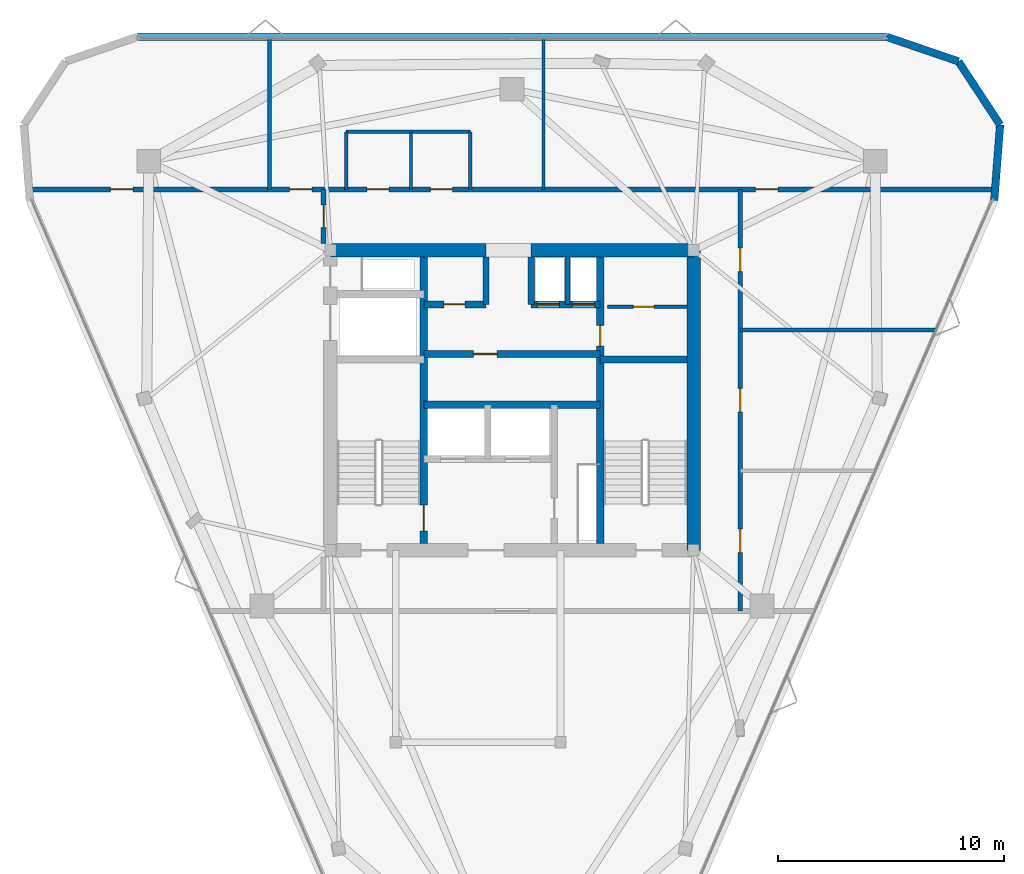
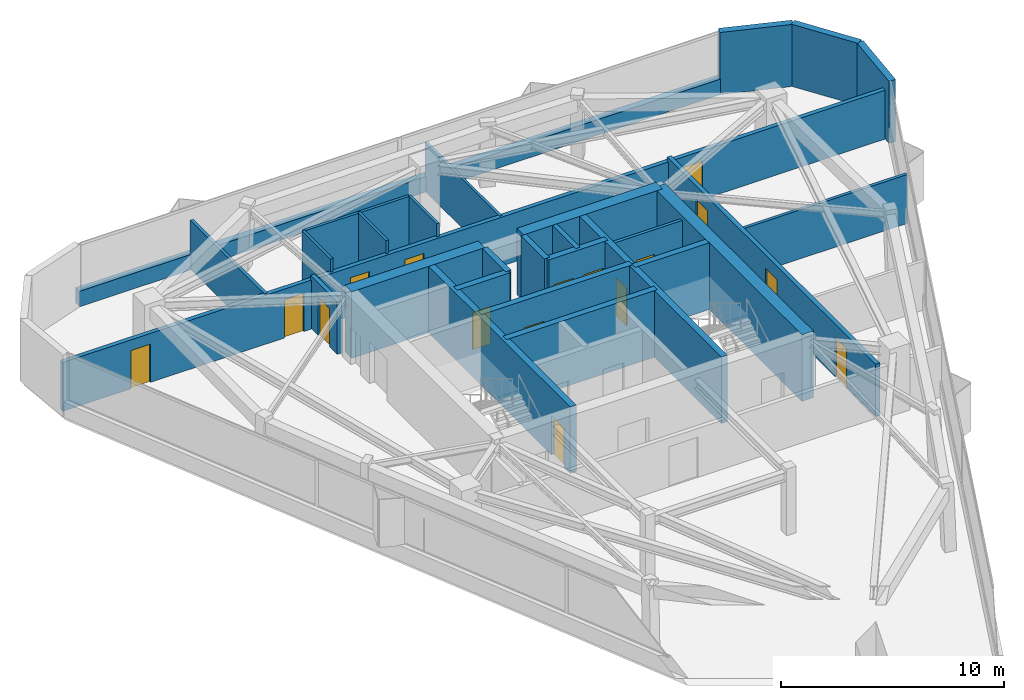
# One storey, part 9 of 11: 28 walls, 16 doors, 16 openings.
"""IFC4 building model written with IfcOpenShell, lengths in metres."""

from ifc_helpers import new_model, si_unit, direction, frame, frame_2d, origin, place, context, subcontext, project, spatial, rectangle, extrude, material, layer, layer_set, type_object, element, fill, save


model = new_model("IFC4")

# Units and contexts
model_context = context("Model", 3, precision=1e-05, world=origin(), true_north=direction((0.0, 1.0)))
body_context = subcontext(model_context, "Body", "Model", "MODEL_VIEW")
ifc_project = project(units=[si_unit("LENGTHUNIT", "METRE"), si_unit("AREAUNIT", "SQUARE_METRE"), si_unit("VOLUMEUNIT", "CUBIC_METRE"), si_unit("PLANEANGLEUNIT", "RADIAN"), si_unit("MASSUNIT", "GRAM", prefix="KILO")], contexts=[model_context])

# Site, building, storey
site_placement = place(None, origin())
site = spatial("IfcSite", under=ifc_project, at=site_placement, CompositionType="ELEMENT")
building_placement = place(site_placement, origin())
building = spatial("IfcBuilding", under=site, at=building_placement, Name="Talyreon Biosciences Tower", CompositionType="ELEMENT")
storey_placement = place(building_placement, frame((0.0, 0.0, 283.800048828125)))
storey = spatial("IfcBuildingStorey", under=building, at=storey_placement, Name="L75", CompositionType="ELEMENT", Elevation=283.800048828125)

# Walls
ifc_material_1 = material(Name="Concrete C50/60", Category="concrete")
ifc_layer_1 = layer(ifc_material_1, 0.219970703125)
ifc_layer_set_1 = layer_set([ifc_layer_1], Name="Concrete C50/60")
wall_type_1 = type_object("IfcWallType", Name="CoreShearWall_220", PredefinedType="SHEAR", material=ifc_layer_set_1)
wall_1_placement = place(storey_placement, frame((68.4599609375, 72.25, 0.0), z_axis=(0.0, 0.0, 1.0), x_axis=(0.0, 1.0, 0.0)))
element("IfcWall", 1, at=wall_1_placement, inside=storey, type_object=wall_type_1, Name="L75 Core Shaft Wall SWPHD", PredefinedType="SHEAR", context=body_context, shape_type="SweptSolid", body=[
    extrude(rectangle(XDim=2.10009765625, YDim=0.219970703125, at=frame_2d((1.050048828125, 0.0))), origin(), (0.0, 0.0, 1.0), 3.64990234375),
])
ifc_layer_2 = layer(ifc_material_1, 0.280029296875)
ifc_layer_set_2 = layer_set([ifc_layer_2], Name="Concrete C50/60")
wall_type_2 = type_object("IfcWallType", Name="CoreShearWall_280", PredefinedType="SHEAR", material=ifc_layer_set_2)
for number, where, z_axis, x_axis, name in (
    (2, (64.85009765625, 72.25, 0.0), (0.0, 0.0, 1.0), (0.0, 1.0, 0.0), "L75 Core Shaft Wall SWTHW"),
    (3, (66.85009765625, 72.25, 0.0), (0.0, 0.0, 1.0), (0.0, 1.0, 0.0), "L75 Core Shaft Wall SWTHE"),
):
    element("IfcWall", number, at=place(storey_placement, frame(where, z_axis=z_axis, x_axis=x_axis)), inside=storey, type_object=wall_type_2, Name=name, PredefinedType="SHEAR", context=body_context, shape_type="SweptSolid", body=[
        extrude(rectangle(XDim=2.10009765625, YDim=0.280029296875, at=frame_2d((1.050048828125, 0.0))), origin(), (0.0, 0.0, 1.0), 3.64990234375),
    ])

# Wall, opening, door
ifc_layer_3 = layer(ifc_material_1, 0.320068359375)
ifc_layer_set_3 = layer_set([ifc_layer_3], Name="Concrete C50/60")
wall_type_3 = type_object("IfcWallType", Name="CoreShearWall_320", PredefinedType="SHEAR", material=ifc_layer_set_3)
wall_2_placement = place(storey_placement, frame((62.090087890625, 61.64990234375, 0.0), z_axis=(0.0, 0.0, 1.0), x_axis=(0.0, 1.0, 0.0)))
wall_2 = element("IfcWall", 4, at=wall_2_placement, inside=storey, type_object=wall_type_3, Name="L75 Core Shaft Wall SW1E", PredefinedType="SHEAR", context=body_context, shape_type="SweptSolid", body=[
    extrude(rectangle(XDim=12.7001953125, YDim=0.320068359375, at=frame_2d((6.35009765625, 0.0))), origin(), (0.0, 0.0, 1.0), 3.64990234375),
])
opening_1_placement = place(wall_2_placement, frame((0.550048828125, 0.0, 0.0)))
opening_1 = element("IfcOpeningElement", 5, at=opening_1_placement, cuts=wall_2, Name="Opening DR-L75-FF-ST1", PredefinedType="OPENING", context=body_context, shape_type="SweptSolid", body=[
    extrude(rectangle(XDim=1.14990234375, YDim=2.14990234375, at=frame_2d((0.574951171875, 1.074951171875))), frame((0.0, 0.169921875, 0.0), z_axis=(0.0, -1.0, 0.0), x_axis=(1.0, 0.0, 0.0)), (0.0, 0.0, 1.0), 0.340087890625),
])
ifc_material_2 = material(Name="Painted steel fire door", Category="steel")
door_type_1 = type_object("IfcDoorType", Name="StairShaftFireDoor_1150x2150", OperationType="NOTDEFINED", PredefinedType="DOOR", material=ifc_material_2)
door_1_placement = place(opening_1_placement, origin())
door_1 = element("IfcDoor", 6, at=door_1_placement, inside=storey, type_object=door_type_1, Name="L75 Core Door DR-L75-FF-ST1", OperationType="SINGLE_SWING_LEFT", OverallHeight=2.14990234375, OverallWidth=1.14990234375, PredefinedType="DOOR", context=body_context, shape_type="SweptSolid", body=[
    extrude(rectangle(XDim=1.14990234375, YDim=2.14990234375, at=frame_2d((0.574951171875, 1.074951171875))), frame((0.0, 0.02490234375, 0.0), z_axis=(0.0, -1.0, 0.0), x_axis=(1.0, 0.0, 0.0)), (0.0, 0.0, 1.0), 0.050048828125),
])
fill(opening_1, door_1)

wall_3_placement = place(storey_placement, frame((69.909912109375, 61.64990234375, 0.0), z_axis=(0.0, 0.0, 1.0), x_axis=(0.0, 1.0, 0.0)))
wall_3 = element("IfcWall", 7, at=wall_3_placement, inside=storey, type_object=wall_type_3, Name="L75 Core Shaft Wall SW2W", PredefinedType="SHEAR", context=body_context, shape_type="SweptSolid", body=[
    extrude(rectangle(XDim=12.7001953125, YDim=0.320068359375, at=frame_2d((6.35009765625, 0.0))), origin(), (0.0, 0.0, 1.0), 3.64990234375),
])
opening_2_placement = place(wall_3_placement, frame((8.75, 0.0, 0.0)))
opening_2 = element("IfcOpeningElement", 8, at=opening_2_placement, cuts=wall_3, Name="Opening DR-L75-CSRV", PredefinedType="OPENING", context=body_context, shape_type="SweptSolid", body=[
    extrude(rectangle(XDim=0.919921875, YDim=2.050048828125, at=frame_2d((0.4599609375, 1.02490234375))), frame((0.0, 0.169921875, 0.0), z_axis=(0.0, -1.0, 0.0), x_axis=(1.0, 0.0, 0.0)), (0.0, 0.0, 1.0), 0.340087890625),
])
ifc_material_3 = material(Name="Painted steel fire-rated riser door", Category="steel")
door_type_2 = type_object("IfcDoorType", Name="RiserPlantAccessDoor_920x2050", OperationType="NOTDEFINED", PredefinedType="DOOR", material=ifc_material_3)
door_2_placement = place(opening_2_placement, origin())
door_2 = element("IfcDoor", 9, at=door_2_placement, inside=storey, type_object=door_type_2, Name="L75 Core Door DR-L75-CSRV", OperationType="SINGLE_SWING_RIGHT", OverallHeight=2.050048828125, OverallWidth=0.919921875, PredefinedType="DOOR", context=body_context, shape_type="SweptSolid", body=[
    extrude(rectangle(XDim=0.919921875, YDim=2.050048828125, at=frame_2d((0.4599609375, 1.02490234375))), frame((0.0, 0.02490234375, 0.0), z_axis=(0.0, -1.0, 0.0), x_axis=(1.0, 0.0, 0.0)), (0.0, 0.0, 1.0), 0.050048828125),
])
fill(opening_2, door_2)

# Walls
wall_4_placement = place(storey_placement, frame((69.909912109375, 69.81005859375, 0.0), z_axis=(0.0, 0.0, 1.0), x_axis=(1.0, 0.0, 0.0)))
element("IfcWall", 10, at=wall_4_placement, inside=storey, type_object=wall_type_3, Name="L75 Core Shaft Wall SW2N", PredefinedType="SHEAR", context=body_context, shape_type="SweptSolid", body=[
    extrude(rectangle(XDim=3.840087890625, YDim=0.320068359375, at=frame_2d((1.919921875, 0.0))), origin(), (0.0, 0.0, 1.0), 3.64990234375),
])
wall_5_placement = place(storey_placement, frame((62.090087890625, 67.800048828125, 0.0), z_axis=(0.0, 0.0, 1.0), x_axis=(1.0, 0.0, 0.0)))
element("IfcWall", 11, at=wall_5_placement, inside=storey, type_object=wall_type_3, Name="L75 Core Shaft Wall SWSHM", PredefinedType="SHEAR", context=body_context, shape_type="SweptSolid", body=[
    extrude(rectangle(XDim=7.81982421875, YDim=0.320068359375, at=frame_2d((3.909912109375, 0.0))), origin(), (0.0, 0.0, 1.0), 3.64990234375),
])

# Wall, opening, door
wall_6_placement = place(storey_placement, frame((62.090087890625, 70.050048828125, 0.0), z_axis=(0.0, 0.0, 1.0), x_axis=(1.0, 0.0, 0.0)))
wall_6 = element("IfcWall", 12, at=wall_6_placement, inside=storey, type_object=wall_type_3, Name="L75 Core Shaft Wall SWSPN", PredefinedType="SHEAR", context=body_context, shape_type="SweptSolid", body=[
    extrude(rectangle(XDim=7.81982421875, YDim=0.320068359375, at=frame_2d((3.909912109375, 0.0))), origin(), (0.0, 0.0, 1.0), 3.64990234375),
])
opening_3_placement = place(wall_6_placement, frame((2.199951171875, 0.0, 0.0)))
opening_3 = element("IfcOpeningElement", 13, at=opening_3_placement, cuts=wall_6, Name="Opening DR-L75-PLPMFREE", PredefinedType="OPENING", context=body_context, shape_type="SweptSolid", body=[
    extrude(rectangle(XDim=1.050048828125, YDim=2.14990234375, at=frame_2d((0.52490234375, 1.074951171875))), frame((0.0, 0.169921875, 0.0), z_axis=(0.0, -1.0, 0.0), x_axis=(1.0, 0.0, 0.0)), (0.0, 0.0, 1.0), 0.340087890625),
])
ifc_material_4 = material(Name="Acoustic timber-core laboratory door", Category="wood")
door_type_3 = type_object("IfcDoorType", Name="DryLabSingleDoor_1050x2150", OperationType="NOTDEFINED", PredefinedType="DOOR", material=ifc_material_4)
door_3_placement = place(opening_3_placement, origin())
door_3 = element("IfcDoor", 14, at=door_3_placement, inside=storey, type_object=door_type_3, Name="L75 Core Door DR-L75-PLPMFREE", OperationType="SINGLE_SWING_LEFT", OverallHeight=2.14990234375, OverallWidth=1.050048828125, PredefinedType="DOOR", context=body_context, shape_type="SweptSolid", body=[
    extrude(rectangle(XDim=1.050048828125, YDim=2.14990234375, at=frame_2d((0.52490234375, 1.074951171875))), frame((0.0, 0.02490234375, 0.0), z_axis=(0.0, -1.0, 0.0), x_axis=(1.0, 0.0, 0.0)), (0.0, 0.0, 1.0), 0.050048828125),
])
fill(opening_3, door_3)

wall_7_placement = place(storey_placement, frame((62.090087890625, 72.25, 0.0), z_axis=(0.0, 0.0, 1.0), x_axis=(1.0, 0.0, 0.0)))
wall_7 = element("IfcWall", 15, at=wall_7_placement, inside=storey, type_object=wall_type_3, Name="L75 Core Shaft Wall SWNPW", PredefinedType="SHEAR", context=body_context, shape_type="SweptSolid", body=[
    extrude(rectangle(XDim=2.760009765625, YDim=0.320068359375, at=frame_2d((1.3798828125, 0.0))), origin(), (0.0, 0.0, 1.0), 3.64990234375),
])
opening_4_placement = place(wall_7_placement, frame((0.89990234375, 0.0, 0.0)))
opening_4 = element("IfcOpeningElement", 16, at=opening_4_placement, cuts=wall_7, Name="Opening DR-L75-PM2FREE", PredefinedType="OPENING", context=body_context, shape_type="SweptSolid", body=[
    extrude(rectangle(XDim=0.919921875, YDim=2.050048828125, at=frame_2d((0.4599609375, 1.02490234375))), frame((0.0, 0.169921875, 0.0), z_axis=(0.0, -1.0, 0.0), x_axis=(1.0, 0.0, 0.0)), (0.0, 0.0, 1.0), 0.340087890625),
])
door_4_placement = place(opening_4_placement, origin())
door_4 = element("IfcDoor", 17, at=door_4_placement, inside=storey, type_object=door_type_2, Name="L75 Core Door DR-L75-PM2FREE", OperationType="SINGLE_SWING_RIGHT", OverallHeight=2.050048828125, OverallWidth=0.919921875, PredefinedType="DOOR", context=body_context, shape_type="SweptSolid", body=[
    extrude(rectangle(XDim=0.919921875, YDim=2.050048828125, at=frame_2d((0.4599609375, 1.02490234375))), frame((0.0, 0.02490234375, 0.0), z_axis=(0.0, -1.0, 0.0), x_axis=(1.0, 0.0, 0.0)), (0.0, 0.0, 1.0), 0.050048828125),
])
fill(opening_4, door_4)

# Wall, openings, doors
wall_8_placement = place(storey_placement, frame((66.85009765625, 72.25, 0.0), z_axis=(0.0, 0.0, 1.0), x_axis=(1.0, 0.0, 0.0)))
wall_8 = element("IfcWall", 18, at=wall_8_placement, inside=storey, type_object=wall_type_3, Name="L75 Core Shaft Wall SWNPE", PredefinedType="SHEAR", context=body_context, shape_type="SweptSolid", body=[
    extrude(rectangle(XDim=3.059814453125, YDim=0.320068359375, at=frame_2d((1.52978515625, 0.0))), origin(), (0.0, 0.0, 1.0), 3.64990234375),
])
opening_5_placement = place(wall_8_placement, frame((0.25, 0.0, 0.0)))
opening_5 = element("IfcOpeningElement", 19, at=opening_5_placement, cuts=wall_8, Name="Opening LD-L75-PH1", PredefinedType="OPENING", context=body_context, shape_type="SweptSolid", body=[
    extrude(rectangle(XDim=1.0, YDim=2.199951171875, at=frame_2d((0.5, 1.10009765625))), frame((0.0, 0.169921875, 0.0), z_axis=(0.0, -1.0, 0.0), x_axis=(1.0, 0.0, 0.0)), (0.0, 0.0, 1.0), 0.340087890625),
])
opening_6_placement = place(wall_8_placement, frame((1.820068359375, 0.0, 0.0)))
opening_6 = element("IfcOpeningElement", 20, at=opening_6_placement, cuts=wall_8, Name="Opening LD-L75-PH2", PredefinedType="OPENING", context=body_context, shape_type="SweptSolid", body=[
    extrude(rectangle(XDim=1.0, YDim=2.199951171875, at=frame_2d((0.5, 1.10009765625))), frame((0.0, 0.169921875, 0.0), z_axis=(0.0, -1.0, 0.0), x_axis=(1.0, 0.0, 0.0)), (0.0, 0.0, 1.0), 0.340087890625),
])
ifc_material_5 = material(Name="Brushed stainless-steel lift landing door", Category="steel")
door_type_4 = type_object("IfcDoorType", Name="LiftSlidingLandingDoor_1100x2200", OperationType="SLIDING_TO_LEFT", PredefinedType="DOOR", material=ifc_material_5)
door_5_placement = place(opening_5_placement, origin())
door_5 = element("IfcDoor", 21, at=door_5_placement, inside=storey, type_object=door_type_4, Name="L75 Core Door LD-L75-PH1", OperationType="SLIDING_TO_LEFT", OverallHeight=2.199951171875, OverallWidth=1.0, PredefinedType="DOOR", context=body_context, shape_type="SweptSolid", body=[
    extrude(rectangle(XDim=1.0, YDim=2.199951171875, at=frame_2d((0.5, 1.10009765625))), frame((0.0, 0.02490234375, 0.0), z_axis=(0.0, -1.0, 0.0), x_axis=(1.0, 0.0, 0.0)), (0.0, 0.0, 1.0), 0.050048828125),
])
fill(opening_5, door_5)
door_6_placement = place(opening_6_placement, origin())
door_6 = element("IfcDoor", 22, at=door_6_placement, inside=storey, type_object=door_type_4, Name="L75 Core Door LD-L75-PH2", OperationType="SLIDING_TO_LEFT", OverallHeight=2.199951171875, OverallWidth=1.0, PredefinedType="DOOR", context=body_context, shape_type="SweptSolid", body=[
    extrude(rectangle(XDim=1.0, YDim=2.199951171875, at=frame_2d((0.5, 1.10009765625))), frame((0.0, 0.02490234375, 0.0), z_axis=(0.0, -1.0, 0.0), x_axis=(1.0, 0.0, 0.0)), (0.0, 0.0, 1.0), 0.050048828125),
])
fill(opening_6, door_6)

# Walls
ifc_layer_4 = layer(ifc_material_1, 0.60009765625)
ifc_layer_set_4 = layer_set([ifc_layer_4], Name="Concrete C50/60")
wall_type_4 = type_object("IfcWallType", Name="CoreShearWall_600", PredefinedType="SHEAR", material=ifc_layer_set_4)
wall_9_placement = place(storey_placement, frame((74.050048828125, 61.35009765625, 0.0), z_axis=(0.0, 0.0, 1.0), x_axis=(0.0, 1.0, 0.0)))
element("IfcWall", 23, at=wall_9_placement, inside=storey, type_object=wall_type_4, Name="L75 Core Shear Wall E", PredefinedType="SHEAR", context=body_context, shape_type="SweptSolid", body=[
    extrude(rectangle(XDim=13.2998046875, YDim=0.60009765625, at=frame_2d((6.64990234375, 0.0))), origin(), (0.0, 0.0, 1.0), 3.64990234375),
])
wall_10_placement = place(storey_placement, frame((74.050048828125, 74.64990234375, 0.0), z_axis=(0.0, 0.0, 1.0), x_axis=(-1.0, 0.0, 0.0)))
element("IfcWall", 24, at=wall_10_placement, inside=storey, type_object=wall_type_4, Name="L75 Core Shear Wall NE", PredefinedType="SHEAR", context=body_context, shape_type="SweptSolid", body=[
    extrude(rectangle(XDim=7.199951171875, YDim=0.60009765625, at=frame_2d((3.60009765625, 0.0))), origin(), (0.0, 0.0, 1.0), 3.64990234375),
])
wall_11_placement = place(storey_placement, frame((64.85009765625, 74.64990234375, 0.0), z_axis=(0.0, 0.0, 1.0), x_axis=(-1.0, 0.0, 0.0)))
element("IfcWall", 25, at=wall_11_placement, inside=storey, type_object=wall_type_4, Name="L75 Core Shear Wall NW", PredefinedType="SHEAR", context=body_context, shape_type="SweptSolid", body=[
    extrude(rectangle(XDim=6.900146484375, YDim=0.60009765625, at=frame_2d((3.4501953125, 0.0))), origin(), (0.0, 0.0, 1.0), 3.64990234375),
])

# Wall, openings, doors
ifc_material_6 = material(Name="Gypsum fireboard acoustic stud", Category="gypsum")
ifc_layer_5 = layer(ifc_material_6, 0.219970703125)
ifc_layer_set_5 = layer_set([ifc_layer_5], Name="Gypsum fireboard acoustic stud")
wall_type_5 = type_object("IfcWallType", Name="CorridorRatedPartition_220", PredefinedType="PARTITIONING", material=ifc_layer_set_5)
wall_12_placement = place(storey_placement, frame((44.665283203125, 77.35009765625, 0.0), z_axis=(0.0, 0.0, 1.0), x_axis=(1.0, 0.0, 0.0)))
wall_12 = element("IfcWall", 26, at=wall_12_placement, inside=storey, type_object=wall_type_5, Name="L75 Interior Wall IW-L75-COR-N", PredefinedType="PARTITIONING", context=body_context, shape_type="SweptSolid", body=[
    extrude(rectangle(XDim=42.66943359375, YDim=0.219970703125, at=frame_2d((21.334716796875, 0.0))), origin(), (0.0, 0.0, 1.0), 2.679931640625),
])
opening_7_placement = place(wall_12_placement, frame((14.89501953125, 0.0, 0.0)))
opening_7 = element("IfcOpeningElement", 27, at=opening_7_placement, cuts=wall_12, Name="Opening DR-L75-WC", PredefinedType="OPENING", context=body_context, shape_type="SweptSolid", body=[
    extrude(rectangle(XDim=0.97998046875, YDim=2.10009765625, at=frame_2d((0.489990234375, 1.050048828125))), frame((0.0, 0.119873046875, 0.0), z_axis=(0.0, -1.0, 0.0), x_axis=(1.0, 0.0, 0.0)), (0.0, 0.0, 1.0), 0.239990234375),
])
opening_8_placement = place(wall_12_placement, frame((17.719970703125, 0.0, 0.0)))
opening_8 = element("IfcOpeningElement", 28, at=opening_8_placement, cuts=wall_12, Name="Opening DR-L75-AWC", PredefinedType="OPENING", context=body_context, shape_type="SweptSolid", body=[
    extrude(rectangle(XDim=0.97998046875, YDim=2.10009765625, at=frame_2d((0.489990234375, 1.050048828125))), frame((0.0, 0.119873046875, 0.0), z_axis=(0.0, -1.0, 0.0), x_axis=(1.0, 0.0, 0.0)), (0.0, 0.0, 1.0), 0.239990234375),
])
opening_9_placement = place(wall_12_placement, frame((3.532958984375, 0.0, 0.0)))
opening_9 = element("IfcOpeningElement", 29, at=opening_9_placement, cuts=wall_12, Name="Opening DR-L75-N1A", PredefinedType="OPENING", context=body_context, shape_type="SweptSolid", body=[
    extrude(rectangle(XDim=1.0, YDim=2.10009765625, at=frame_2d((0.5, 1.050048828125))), frame((0.0, 0.119873046875, 0.0), z_axis=(0.0, -1.0, 0.0), x_axis=(1.0, 0.0, 0.0)), (0.0, 0.0, 1.0), 0.239990234375),
])
opening_10_placement = place(wall_12_placement, frame((11.47802734375, 0.0, 0.0)))
opening_10 = element("IfcOpeningElement", 30, at=opening_10_placement, cuts=wall_12, Name="Opening DR-L75-N2A", PredefinedType="OPENING", context=body_context, shape_type="SweptSolid", body=[
    extrude(rectangle(XDim=1.0, YDim=2.10009765625, at=frame_2d((0.5, 1.050048828125))), frame((0.0, 0.119873046875, 0.0), z_axis=(0.0, -1.0, 0.0), x_axis=(1.0, 0.0, 0.0)), (0.0, 0.0, 1.0), 0.239990234375),
])
opening_11_placement = place(wall_12_placement, frame((32.126953125, 0.0, 0.0)))
opening_11 = element("IfcOpeningElement", 31, at=opening_11_placement, cuts=wall_12, Name="Opening DR-L75-N3A", PredefinedType="OPENING", context=body_context, shape_type="SweptSolid", body=[
    extrude(rectangle(XDim=1.0, YDim=2.10009765625, at=frame_2d((0.5, 1.050048828125))), frame((0.0, 0.119873046875, 0.0), z_axis=(0.0, -1.0, 0.0), x_axis=(1.0, 0.0, 0.0)), (0.0, 0.0, 1.0), 0.239990234375),
])
ifc_material_7 = material(Name="Laminate moisture-resistant door", Category="wood")
door_type_5 = type_object("IfcDoorType", Name="AccessibleToiletDoor_980x2100", OperationType="NOTDEFINED", PredefinedType="DOOR", material=ifc_material_7)
door_7_placement = place(opening_7_placement, origin())
door_7 = element("IfcDoor", 32, at=door_7_placement, inside=storey, type_object=door_type_5, Name="L75 Interior Door DR-L75-WC", OperationType="SINGLE_SWING_LEFT", OverallHeight=2.10009765625, OverallWidth=0.97998046875, PredefinedType="DOOR", context=body_context, shape_type="SweptSolid", body=[
    extrude(rectangle(XDim=0.97998046875, YDim=2.10009765625, at=frame_2d((0.489990234375, 1.050048828125))), frame((0.0, 0.02490234375, 0.0), z_axis=(0.0, -1.0, 0.0), x_axis=(1.0, 0.0, 0.0)), (0.0, 0.0, 1.0), 0.050048828125),
])
fill(opening_7, door_7)
door_8_placement = place(opening_8_placement, origin())
door_8 = element("IfcDoor", 33, at=door_8_placement, inside=storey, type_object=door_type_5, Name="L75 Interior Door DR-L75-AWC", OperationType="SINGLE_SWING_LEFT", OverallHeight=2.10009765625, OverallWidth=0.97998046875, PredefinedType="DOOR", context=body_context, shape_type="SweptSolid", body=[
    extrude(rectangle(XDim=0.97998046875, YDim=2.10009765625, at=frame_2d((0.489990234375, 1.050048828125))), frame((0.0, 0.02490234375, 0.0), z_axis=(0.0, -1.0, 0.0), x_axis=(1.0, 0.0, 0.0)), (0.0, 0.0, 1.0), 0.050048828125),
])
fill(opening_8, door_8)
ifc_material_8 = material(Name="Acoustic oak veneer office door", Category="wood")
door_type_6 = type_object("IfcDoorType", Name="WriteupOfficeDoor_1000x2100", OperationType="NOTDEFINED", PredefinedType="DOOR", material=ifc_material_8)
door_9_placement = place(opening_9_placement, origin())
door_9 = element("IfcDoor", 34, at=door_9_placement, inside=storey, type_object=door_type_6, Name="L75 Interior Door DR-L75-N1A", OperationType="SINGLE_SWING_RIGHT", OverallHeight=2.10009765625, OverallWidth=1.0, PredefinedType="DOOR", context=body_context, shape_type="SweptSolid", body=[
    extrude(rectangle(XDim=1.0, YDim=2.10009765625, at=frame_2d((0.5, 1.050048828125))), frame((0.0, 0.02490234375, 0.0), z_axis=(0.0, -1.0, 0.0), x_axis=(1.0, 0.0, 0.0)), (0.0, 0.0, 1.0), 0.050048828125),
])
fill(opening_9, door_9)
door_10_placement = place(opening_10_placement, origin())
door_10 = element("IfcDoor", 35, at=door_10_placement, inside=storey, type_object=door_type_6, Name="L75 Interior Door DR-L75-N2A", OperationType="SINGLE_SWING_LEFT", OverallHeight=2.10009765625, OverallWidth=1.0, PredefinedType="DOOR", context=body_context, shape_type="SweptSolid", body=[
    extrude(rectangle(XDim=1.0, YDim=2.10009765625, at=frame_2d((0.5, 1.050048828125))), frame((0.0, 0.02490234375, 0.0), z_axis=(0.0, -1.0, 0.0), x_axis=(1.0, 0.0, 0.0)), (0.0, 0.0, 1.0), 0.050048828125),
])
fill(opening_10, door_10)
door_11_placement = place(opening_11_placement, origin())
door_11 = element("IfcDoor", 36, at=door_11_placement, inside=storey, type_object=door_type_6, Name="L75 Interior Door DR-L75-N3A", OperationType="SINGLE_SWING_RIGHT", OverallHeight=2.10009765625, OverallWidth=1.0, PredefinedType="DOOR", context=body_context, shape_type="SweptSolid", body=[
    extrude(rectangle(XDim=1.0, YDim=2.10009765625, at=frame_2d((0.5, 1.050048828125))), frame((0.0, 0.02490234375, 0.0), z_axis=(0.0, -1.0, 0.0), x_axis=(1.0, 0.0, 0.0)), (0.0, 0.0, 1.0), 0.050048828125),
])
fill(opening_11, door_11)

# Wall, opening, door
wall_13_placement = place(storey_placement, frame((57.64990234375, 74.949951171875, 0.0), z_axis=(0.0, 0.0, 1.0), x_axis=(0.0, 1.0, 0.0)))
wall_13 = element("IfcWall", 37, at=wall_13_placement, inside=storey, type_object=wall_type_5, Name="L75 Interior Wall IW-L75-WCAP-N", PredefinedType="PARTITIONING", context=body_context, shape_type="SweptSolid", body=[
    extrude(rectangle(XDim=2.400146484375, YDim=0.219970703125, at=frame_2d((1.2001953125, 0.0))), origin(), (0.0, 0.0, 1.0), 2.8798828125),
])
opening_12_placement = place(wall_13_placement, frame((0.699951171875, 0.0, 0.0)))
opening_12 = element("IfcOpeningElement", 38, at=opening_12_placement, cuts=wall_13, Name="Opening DR-L75-W1A", PredefinedType="OPENING", context=body_context, shape_type="SweptSolid", body=[
    extrude(rectangle(XDim=1.0, YDim=2.10009765625, at=frame_2d((0.5, 1.050048828125))), frame((0.0, 0.119873046875, 0.0), z_axis=(0.0, -1.0, 0.0), x_axis=(1.0, 0.0, 0.0)), (0.0, 0.0, 1.0), 0.239990234375),
])
door_12_placement = place(opening_12_placement, origin())
door_12 = element("IfcDoor", 39, at=door_12_placement, inside=storey, type_object=door_type_6, Name="L75 Interior Door DR-L75-W1A", OperationType="SINGLE_SWING_RIGHT", OverallHeight=2.10009765625, OverallWidth=1.0, PredefinedType="DOOR", context=body_context, shape_type="SweptSolid", body=[
    extrude(rectangle(XDim=1.0, YDim=2.10009765625, at=frame_2d((0.5, 1.050048828125))), frame((0.0, 0.02490234375, 0.0), z_axis=(0.0, -1.0, 0.0), x_axis=(1.0, 0.0, 0.0)), (0.0, 0.0, 1.0), 0.050048828125),
])
fill(opening_12, door_12)

# Wall, openings, doors
wall_14_placement = place(storey_placement, frame((76.1201171875, 58.64990234375, 0.0), z_axis=(0.0, 0.0, 1.0), x_axis=(0.0, 1.0, 0.0)))
wall_14 = element("IfcWall", 40, at=wall_14_placement, inside=storey, type_object=wall_type_5, Name="L75 Interior Wall IW-L75-COR-E", PredefinedType="PARTITIONING", context=body_context, shape_type="SweptSolid", body=[
    extrude(rectangle(XDim=18.7001953125, YDim=0.219970703125, at=frame_2d((9.35009765625, 0.0))), origin(), (0.0, 0.0, 1.0), 2.8798828125),
])
opening_13_placement = place(wall_14_placement, frame((2.591064453125, 0.0, 0.0)))
opening_13 = element("IfcOpeningElement", 41, at=opening_13_placement, cuts=wall_14, Name="Opening DR-L75-E1A", PredefinedType="OPENING", context=body_context, shape_type="SweptSolid", body=[
    extrude(rectangle(XDim=1.050048828125, YDim=2.14990234375, at=frame_2d((0.52490234375, 1.074951171875))), frame((0.0, 0.119873046875, 0.0), z_axis=(0.0, -1.0, 0.0), x_axis=(1.0, 0.0, 0.0)), (0.0, 0.0, 1.0), 0.239990234375),
])
opening_14_placement = place(wall_14_placement, frame((8.824951171875, 0.0, 0.0)))
opening_14 = element("IfcOpeningElement", 42, at=opening_14_placement, cuts=wall_14, Name="Opening DR-L75-E2A", PredefinedType="OPENING", context=body_context, shape_type="SweptSolid", body=[
    extrude(rectangle(XDim=1.050048828125, YDim=2.14990234375, at=frame_2d((0.52490234375, 1.074951171875))), frame((0.0, 0.119873046875, 0.0), z_axis=(0.0, -1.0, 0.0), x_axis=(1.0, 0.0, 0.0)), (0.0, 0.0, 1.0), 0.239990234375),
])
opening_15_placement = place(wall_14_placement, frame((15.05908203125, 0.0, 0.0)))
opening_15 = element("IfcOpeningElement", 43, at=opening_15_placement, cuts=wall_14, Name="Opening DR-L75-E3A", PredefinedType="OPENING", context=body_context, shape_type="SweptSolid", body=[
    extrude(rectangle(XDim=1.050048828125, YDim=2.14990234375, at=frame_2d((0.52490234375, 1.074951171875))), frame((0.0, 0.119873046875, 0.0), z_axis=(0.0, -1.0, 0.0), x_axis=(1.0, 0.0, 0.0)), (0.0, 0.0, 1.0), 0.239990234375),
])
door_13_placement = place(opening_13_placement, origin())
door_13 = element("IfcDoor", 44, at=door_13_placement, inside=storey, type_object=door_type_3, Name="L75 Interior Door DR-L75-E1A", OperationType="SINGLE_SWING_LEFT", OverallHeight=2.14990234375, OverallWidth=1.050048828125, PredefinedType="DOOR", context=body_context, shape_type="SweptSolid", body=[
    extrude(rectangle(XDim=1.050048828125, YDim=2.14990234375, at=frame_2d((0.52490234375, 1.074951171875))), frame((0.0, 0.02490234375, 0.0), z_axis=(0.0, -1.0, 0.0), x_axis=(1.0, 0.0, 0.0)), (0.0, 0.0, 1.0), 0.050048828125),
])
fill(opening_13, door_13)
door_14_placement = place(opening_14_placement, origin())
door_14 = element("IfcDoor", 45, at=door_14_placement, inside=storey, type_object=door_type_3, Name="L75 Interior Door DR-L75-E2A", OperationType="SINGLE_SWING_RIGHT", OverallHeight=2.14990234375, OverallWidth=1.050048828125, PredefinedType="DOOR", context=body_context, shape_type="SweptSolid", body=[
    extrude(rectangle(XDim=1.050048828125, YDim=2.14990234375, at=frame_2d((0.52490234375, 1.074951171875))), frame((0.0, 0.02490234375, 0.0), z_axis=(0.0, -1.0, 0.0), x_axis=(1.0, 0.0, 0.0)), (0.0, 0.0, 1.0), 0.050048828125),
])
fill(opening_14, door_14)
door_15_placement = place(opening_15_placement, origin())
door_15 = element("IfcDoor", 46, at=door_15_placement, inside=storey, type_object=door_type_3, Name="L75 Interior Door DR-L75-E3A", OperationType="SINGLE_SWING_RIGHT", OverallHeight=2.14990234375, OverallWidth=1.050048828125, PredefinedType="DOOR", context=body_context, shape_type="SweptSolid", body=[
    extrude(rectangle(XDim=1.050048828125, YDim=2.14990234375, at=frame_2d((0.52490234375, 1.074951171875))), frame((0.0, 0.02490234375, 0.0), z_axis=(0.0, -1.0, 0.0), x_axis=(1.0, 0.0, 0.0)), (0.0, 0.0, 1.0), 0.050048828125),
])
fill(opening_15, door_15)

# Wall, opening, door
ifc_material_9 = material(Name="Gypsum acoustic stud partition", Category="gypsum")
ifc_layer_6 = layer(ifc_material_9, 0.159912109375)
ifc_layer_set_6 = layer_set([ifc_layer_6], Name="Gypsum acoustic stud partition")
wall_type_6 = type_object("IfcWallType", Name="LabSeparationPartition_160", PredefinedType="PARTITIONING", material=ifc_layer_set_6)
wall_15_placement = place(storey_placement, frame((70.22998046875, 72.14990234375, 0.0), z_axis=(0.0, 0.0, 1.0), x_axis=(1.0, 0.0, 0.0)))
wall_15 = element("IfcWall", 47, at=wall_15_placement, inside=storey, type_object=wall_type_6, Name="L75 Interior Wall IW-L75-CSRV-H", PredefinedType="PARTITIONING", context=body_context, shape_type="SweptSolid", body=[
    extrude(rectangle(XDim=3.52001953125, YDim=0.159912109375, at=frame_2d((1.760009765625, 0.0))), origin(), (0.0, 0.0, 1.0), 3.39990234375),
])
opening_16_placement = place(wall_15_placement, frame((1.14990234375, 0.0, 0.0)))
opening_16 = element("IfcOpeningElement", 48, at=opening_16_placement, cuts=wall_15, Name="Opening DR-L75-CSRV-I", PredefinedType="OPENING", context=body_context, shape_type="SweptSolid", body=[
    extrude(rectangle(XDim=0.919921875, YDim=2.050048828125, at=frame_2d((0.4599609375, 1.02490234375))), frame((0.0, 0.08984375, 0.0), z_axis=(0.0, -1.0, 0.0), x_axis=(1.0, 0.0, 0.0)), (0.0, 0.0, 1.0), 0.179931640625),
])
door_16_placement = place(opening_16_placement, origin())
door_16 = element("IfcDoor", 49, at=door_16_placement, inside=storey, type_object=door_type_2, Name="L75 Interior Door DR-L75-CSRV-I", OperationType="SINGLE_SWING_LEFT", OverallHeight=2.050048828125, OverallWidth=0.919921875, PredefinedType="DOOR", context=body_context, shape_type="SweptSolid", body=[
    extrude(rectangle(XDim=0.919921875, YDim=2.050048828125, at=frame_2d((0.4599609375, 1.02490234375))), frame((0.0, 0.02490234375, 0.0), z_axis=(0.0, -1.0, 0.0), x_axis=(1.0, 0.0, 0.0)), (0.0, 0.0, 1.0), 0.050048828125),
])
fill(opening_16, door_16)

# Walls
wall_16_placement = place(storey_placement, frame((55.25, 77.35009765625, 0.0), z_axis=(0.0, 0.0, 1.0), x_axis=(0.0, 1.0, 0.0)))
element("IfcWall", 50, at=wall_16_placement, inside=storey, type_object=wall_type_6, Name="L75 Interior Wall IW-L75-NDIV1", PredefinedType="PARTITIONING", context=body_context, shape_type="SweptSolid", body=[
    extrude(rectangle(XDim=6.68212890625, YDim=0.159912109375, at=frame_2d((3.341064453125, 0.0))), origin(), (0.0, 0.0, 1.0), 2.679931640625),
])
wall_17_placement = place(storey_placement, frame((76.1201171875, 71.116943359375, 0.0), z_axis=(0.0, 0.0, 1.0), x_axis=(1.0, 0.0, 0.0)))
element("IfcWall", 51, at=wall_17_placement, inside=storey, type_object=wall_type_6, Name="L75 Interior Wall IW-L75-EDIV2", PredefinedType="PARTITIONING", context=body_context, shape_type="SweptSolid", body=[
    extrude(rectangle(XDim=8.690185546875, YDim=0.159912109375, at=frame_2d((4.34521484375, 0.0))), origin(), (0.0, 0.0, 1.0), 2.679931640625),
])
ifc_layer_7 = layer(ifc_material_9, 0.1298828125)
ifc_layer_set_7 = layer_set([ifc_layer_7], Name="Gypsum acoustic stud partition")
wall_type_7 = type_object("IfcWallType", Name="OfficeWriteupPartition_130", PredefinedType="PARTITIONING", material=ifc_layer_set_7)
wall_18_placement = place(storey_placement, frame((67.39990234375, 77.35009765625, 0.0), z_axis=(0.0, 0.0, 1.0), x_axis=(0.0, 1.0, 0.0)))
element("IfcWall", 52, at=wall_18_placement, inside=storey, type_object=wall_type_7, Name="L75 Interior Wall IW-L75-NDIV2", PredefinedType="PARTITIONING", context=body_context, shape_type="SweptSolid", body=[
    extrude(rectangle(XDim=6.68212890625, YDim=0.1298828125, at=frame_2d((3.341064453125, 0.0))), origin(), (0.0, 0.0, 1.0), 2.679931640625),
])
ifc_material_10 = material(Name="Precast concrete C45/55", Category="concrete")
ifc_layer_8 = layer(ifc_material_10, 0.340087890625)
ifc_layer_set_8 = layer_set([ifc_layer_8], Name="Precast concrete C45/55")
wall_type_8 = type_object("IfcWallType", Name="PrecastConcreteSpandrelWall_340", PredefinedType="STANDARD", material=ifc_layer_set_8)
wall_19_placement = place(storey_placement, frame((49.392333984375, 84.1171875, 0.0), z_axis=(0.0, 0.0, 1.0), x_axis=(1.0, 0.0, 0.0)))
element("IfcWall", 53, at=wall_19_placement, inside=storey, type_object=wall_type_8, Name="L75 Expressed Concrete Sill Wall 04", PredefinedType="STANDARD", context=body_context, shape_type="SweptSolid", body=[
    extrude(rectangle(XDim=33.21533203125, YDim=0.340087890625, at=frame_2d((16.607666015625, 0.0))), origin(), (0.0, 0.0, 1.0), 0.849853515625),
])
for number, where, z_axis, x_axis, name in (
    (54, (82.607666015625, 84.1171875, 0.0), (0.0, 0.0, 1.0), (0.946137689322, -0.323764533025, 0.0), "L75 Rounded-Corner Concrete Pier 05"),
    (55, (85.7939453125, 83.02685546875, 0.0), (0.0, 0.0, 1.0), (0.549284928187, -0.835635128311, 0.0), "L75 Rounded-Corner Concrete Pier 06"),
    (56, (87.643798828125, 80.212646484375, 0.0), (0.0, 0.0, 1.0), (-0.077932702053, -0.996958621985, 0.0), "L75 Rounded-Corner Concrete Pier 07"),
):
    element("IfcWall", number, at=place(storey_placement, frame(where, z_axis=z_axis, x_axis=x_axis)), inside=storey, type_object=wall_type_8, Name=name, PredefinedType="STANDARD", context=body_context, shape_type="SweptSolid", body=[
        extrude(rectangle(XDim=3.36767578125, YDim=0.340087890625, at=frame_2d((1.683837890625, 0.0))), origin(), (0.0, 0.0, 1.0), 3.39990234375),
    ])
ifc_material_11 = material(Name="Moisture-resistant cement-board stud", Category="gypsum")
ifc_layer_9 = layer(ifc_material_11, 0.14501953125)
ifc_layer_set_9 = layer_set([ifc_layer_9], Name="Moisture-resistant cement-board stud")
wall_type_9 = type_object("IfcWallType", Name="WetRoomPartition_145", PredefinedType="PARTITIONING", material=ifc_layer_set_9)
for number, where, z_axis, x_axis, name in (
    (57, (58.64990234375, 77.35009765625, 0.0), (0.0, 0.0, 1.0), (0.0, 1.0, 0.0), "L75 Interior Wall IW-L75-WCL"),
    (58, (61.52490234375, 77.35009765625, 0.0), (0.0, 0.0, 1.0), (0.0, 1.0, 0.0), "L75 Interior Wall IW-L75-WCM"),
    (59, (64.14990234375, 77.35009765625, 0.0), (0.0, 0.0, 1.0), (0.0, 1.0, 0.0), "L75 Interior Wall IW-L75-WCR"),
):
    element("IfcWall", number, at=place(storey_placement, frame(where, z_axis=z_axis, x_axis=x_axis)), inside=storey, type_object=wall_type_9, Name=name, PredefinedType="PARTITIONING", context=body_context, shape_type="SweptSolid", body=[
        extrude(rectangle(XDim=2.5498046875, YDim=0.14501953125, at=frame_2d((1.27490234375, 0.0))), origin(), (0.0, 0.0, 1.0), 3.39990234375),
    ])
wall_20_placement = place(storey_placement, frame((58.64990234375, 79.89990234375, 0.0), z_axis=(0.0, 0.0, 1.0), x_axis=(1.0, 0.0, 0.0)))
element("IfcWall", 60, at=wall_20_placement, inside=storey, type_object=wall_type_9, Name="L75 Interior Wall IW-L75-WCT", PredefinedType="PARTITIONING", context=body_context, shape_type="SweptSolid", body=[
    extrude(rectangle(XDim=5.5, YDim=0.14501953125, at=frame_2d((2.75, 0.0))), origin(), (0.0, 0.0, 1.0), 3.39990234375),
])

save(model, "model.ifc")
